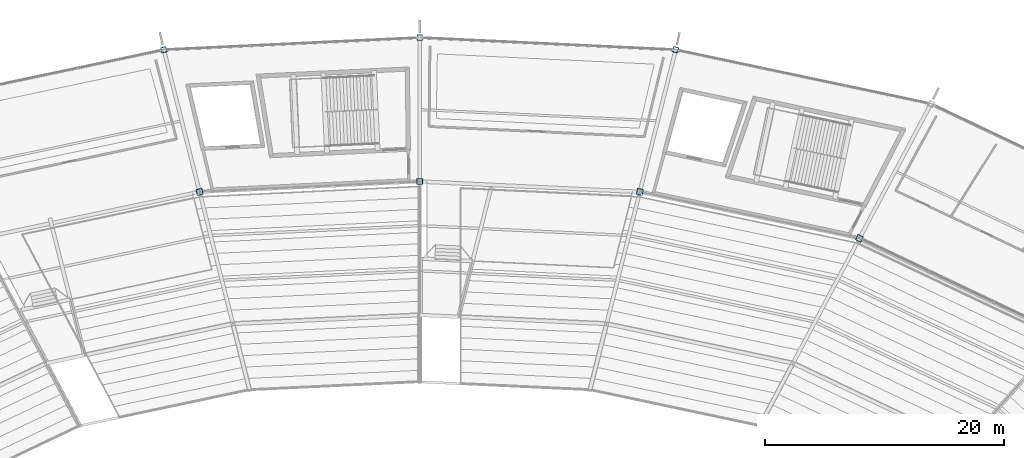
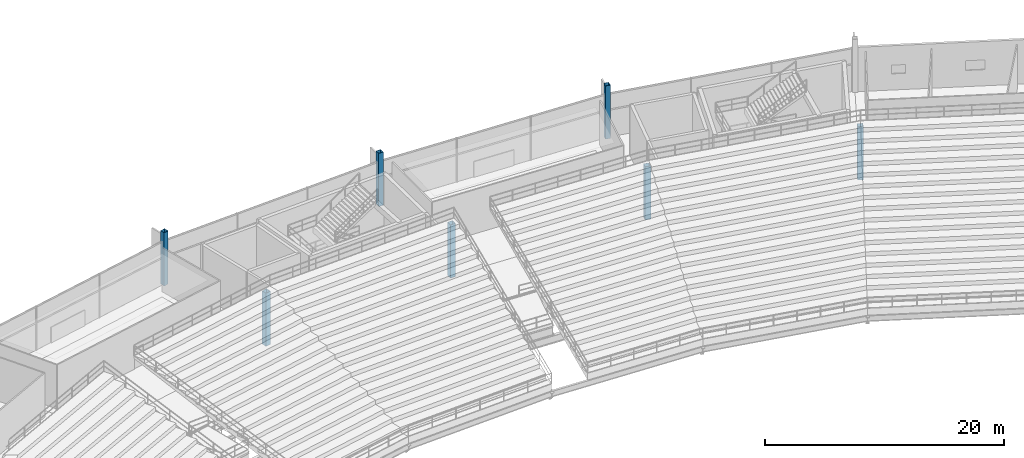
# One storey, part 9 of 186: 7 columns.
"""IFC4 building model written with IfcOpenShell, lengths in metres."""

from ifc_helpers import new_model, si_unit, direction, frame, origin, origin_2d, place, context, subcontext, project, spatial, hollow_rectangle, extrude, material, material_profile, profile_set, type_object, element, save


model = new_model("IFC4")

# Units and contexts
model_context = context("Model", 3, precision=1e-05, world=origin(), true_north=direction((0.0, 1.0)))
body_context = subcontext(model_context, "Body", "Model", "MODEL_VIEW")
ifc_project = project(units=[si_unit("LENGTHUNIT", "METRE"), si_unit("AREAUNIT", "SQUARE_METRE"), si_unit("VOLUMEUNIT", "CUBIC_METRE"), si_unit("PLANEANGLEUNIT", "RADIAN"), si_unit("MASSUNIT", "GRAM", prefix="KILO")], contexts=[model_context])

# Site, building, storey
site_placement = place(None, origin())
site = spatial("IfcSite", under=ifc_project, at=site_placement, CompositionType="ELEMENT")
building_placement = place(site_placement, origin())
building = spatial("IfcBuilding", under=site, at=building_placement, Name="Kazemori Nagisa Stadium", CompositionType="ELEMENT")
storey_placement = place(building_placement, frame((0.0, 0.0, 20.39990234375)))
storey = spatial("IfcBuildingStorey", under=building, at=storey_placement, Name="L04", CompositionType="ELEMENT", Elevation=20.39990234375)

# Columns
ifc_material = material(Name="Steel STKR490", Category="steel")
ifc_material_profile_1 = material_profile(ifc_material, hollow_rectangle(XDim=0.449951171875, YDim=0.449951171875, WallThickness=0.02197265625, at=origin_2d()), Name="SHS-450x450x22")
ifc_profile_set_1 = profile_set([ifc_material_profile_1], Name="Steel STKR490")
column_type_1 = type_object("IfcColumnType", Name="Column_C-ST450", PredefinedType="COLUMN", material=ifc_profile_set_1)
for number, where, z_axis, x_axis, name in (
    (1, (144.427734375, 186.98681640625, 0.0), (0.0, 0.0, 1.0), (0.222520933954, 0.974927912182, 0.0), "Column C-ST450 L04 R3-07"),
    (2, (123.0, 188.0, 0.0), (0.0, 0.0, 1.0), (0.0, 1.0, 0.0), "Column C-ST450 L04 R3-08"),
    (3, (101.572265625, 186.98681640625, 0.0), (0.0, 0.0, 1.0), (-0.222520933954, 0.974927912182, 0.0), "Column C-ST450 L04 R3-09"),
):
    element("IfcColumn", number, at=place(storey_placement, frame(where, z_axis=z_axis, x_axis=x_axis)), inside=storey, type_object=column_type_1, Name=name, PredefinedType="COLUMN", context=body_context, shape_type="SweptSolid", body=[
        extrude(hollow_rectangle(XDim=0.449951171875, YDim=0.449951171875, WallThickness=0.02197265625, at=origin_2d()), origin(), (0.0, 0.0, 1.0), 5.440185546875),
    ])
ifc_material_profile_2 = material_profile(ifc_material, hollow_rectangle(XDim=0.5, YDim=0.5, WallThickness=0.02197265625, at=origin_2d()), Name="SHS-500x500x22")
ifc_profile_set_2 = profile_set([ifc_material_profile_2], Name="Steel STKR490")
column_type_2 = type_object("IfcColumnType", Name="Column_C-ST500", PredefinedType="COLUMN", material=ifc_profile_set_2)
for number, where, z_axis, x_axis, name in (
    (4, (159.81201171875, 171.19921875, 0.0), (0.0, 0.0, 1.0), (0.433883739113, 0.900968867905, 0.0), "Column C-ST500 L04 R2-06"),
    (5, (141.427734375, 175.088623046875, 0.0), (0.0, 0.0, 1.0), (0.222520933954, 0.974927912182, 0.0), "Column C-ST500 L04 R2-07"),
    (6, (123.0, 175.9599609375, 0.0), (0.0, 0.0, 1.0), (0.0, 1.0, 0.0), "Column C-ST500 L04 R2-08"),
    (7, (104.572265625, 175.088623046875, 0.0), (0.0, 0.0, 1.0), (-0.222520933954, 0.974927912182, 0.0), "Column C-ST500 L04 R2-09"),
):
    element("IfcColumn", number, at=place(storey_placement, frame(where, z_axis=z_axis, x_axis=x_axis)), inside=storey, type_object=column_type_2, Name=name, PredefinedType="COLUMN", context=body_context, shape_type="SweptSolid", body=[
        extrude(hollow_rectangle(XDim=0.5, YDim=0.5, WallThickness=0.02197265625, at=origin_2d()), origin(), (0.0, 0.0, 1.0), 5.440185546875),
    ])

save(model, "model.ifc")
